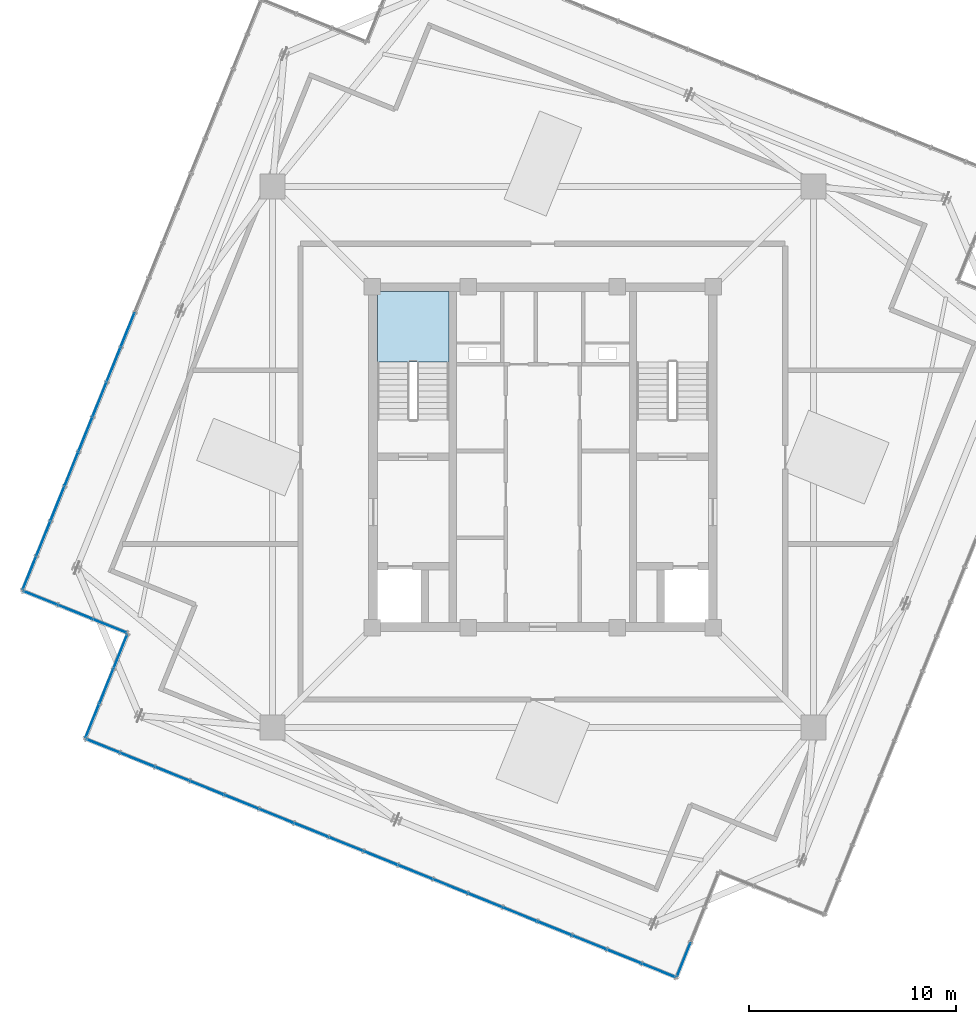
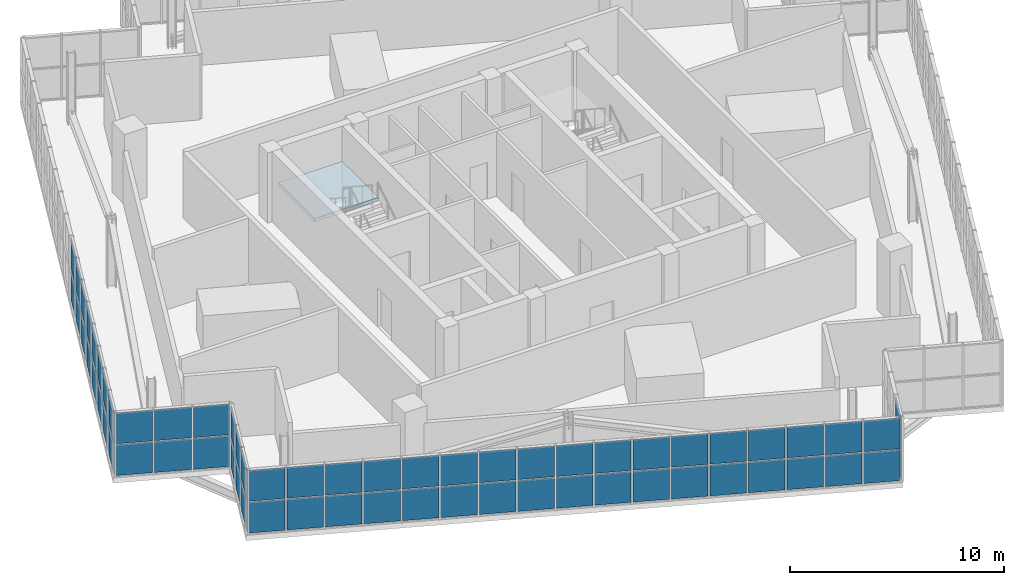
# One storey, part 18 of 26: 64 plates, 1 slab, 6 elements without a shape of their own.
"""IFC4 building model written with IfcOpenShell, lengths in metres."""

from ifc_helpers import new_model, si_unit, direction, frame, origin, origin_2d, place, context, subcontext, project, spatial, polyline, rectangle, outline, extrude, source, transform, mapped, material, layer, layer_set, type_object, element, aggregate, save


model = new_model("IFC4")

# Units and contexts
model_context = context("Model", 3, precision=1e-05, world=origin(), true_north=direction((0.0, 1.0)))
body_context = subcontext(model_context, "Body", "Model", "MODEL_VIEW")
ifc_project = project(units=[si_unit("LENGTHUNIT", "METRE"), si_unit("AREAUNIT", "SQUARE_METRE"), si_unit("VOLUMEUNIT", "CUBIC_METRE"), si_unit("PLANEANGLEUNIT", "RADIAN"), si_unit("MASSUNIT", "GRAM", prefix="KILO"), si_unit("THERMODYNAMICTEMPERATUREUNIT", "KELVIN")], contexts=[model_context])

# Site, building, storey
site_placement = place(None, origin())
site = spatial("IfcSite", under=ifc_project, at=site_placement, CompositionType="ELEMENT")
building_placement = place(site_placement, origin())
building = spatial("IfcBuilding", under=site, at=building_placement, Name="Kosmvard Interchange Tower", CompositionType="ELEMENT")
storey_placement = place(building_placement, frame((0.0, 0.0, 337.60009765625)))
storey = spatial("IfcBuildingStorey", under=building, at=storey_placement, Name="L83", CompositionType="ELEMENT", Elevation=337.60009765625)

# Stair, slab
ifc_material_1 = material(Name="Concrete C50/60", Category="concrete")
stair_type = type_object("IfcStairType", Name="Dog-Leg Core Exit Stair H4000 C50/60", PredefinedType="HALF_TURN_STAIR", material=ifc_material_1)
stair_placement = place(storey_placement, origin())
stair = element("IfcStair", 1, at=stair_placement, inside=storey, type_object=stair_type, Name="L83 Protected Exit Stair ST-1", PredefinedType="HALF_TURN_STAIR")
ifc_layer_1 = layer(ifc_material_1, 0.199951171875, Name="Concrete C50/60")
ifc_layer_set_1 = layer_set([ifc_layer_1], Name="Concrete C50/60")
slab_type = type_object("IfcSlabType", Name="Stair Half-Landing Slab 200 C50/60", PredefinedType="LANDING", material=ifc_layer_set_1)
slab_placement = place(storey_placement, frame((0.0, 0.0, 1.7998046875)))
slab = element("IfcSlab", 2, at=slab_placement, type_object=slab_type, Name="ST-1 landing 1", PredefinedType="LANDING", context=body_context, shape_type="SweptSolid", body=[
    extrude(outline(polyline([(-4.5400390625, 4.60009765625), (-4.5400390625, 8.0), (-8.0, 8.0), (-8.0, 4.60009765625), (-4.5400390625, 4.60009765625)])), origin(), (0.0, 0.0, 1.0), 0.2001953125),
])
aggregate(stair, [slab])

# Curtain wall, plates
ifc_material_2 = material(Name="Architectural anodised aluminium", Category="aluminium")
ifc_layer_2 = layer(ifc_material_2, 0.25, Name="Architectural anodised aluminium")
ifc_layer_set_2 = layer_set([ifc_layer_2], Name="Architectural anodised aluminium")
curtain_wall_type = type_object("IfcCurtainWallType", Name="CW-6 Illuminated Crown Lantern Curtain Wall", PredefinedType="NOTDEFINED", material=ifc_layer_set_2)
curtain_wall_1_placement = place(storey_placement, origin())
curtain_wall_1 = element("IfcCurtainWall", 3, at=curtain_wall_1_placement, inside=storey, type_object=curtain_wall_type, Name="L83 Crown Lantern Glazing Face 07", PredefinedType="NOTDEFINED")
ifc_material_3 = material(Name="Laminated acoustic lantern glazing", Category="glass")
ifc_layer_3 = layer(ifc_material_3, 0.035888671875, Name="Laminated acoustic lantern glazing")
ifc_layer_set_3 = layer_set([ifc_layer_3], Name="Laminated acoustic lantern glazing")
plate_type = type_object("IfcPlateType", Name="Lantern Diffused Illuminated Panel 36", PredefinedType="CURTAIN_PANEL", material=ifc_layer_set_3)
shared_shape_1 = source(origin(), body_context, "Body", "SweptSolid", [
    extrude(rectangle(XDim=1.694091796875, YDim=0.035888671875, at=origin_2d()), origin(), (0.0, 0.0, 1.0), 1.7451171875),
])
plate_1_placement = place(storey_placement, frame((-24.825927734375, -5.600830078125, 0.06982421875), z_axis=(0.0, 0.0, 1.0), x_axis=(-0.374606584758, -0.927183858065, 0.0)))
plate_1 = element("IfcPlate", 4, at=plate_1_placement, type_object=plate_type, Name="CW-6 panel 17.1", PredefinedType="CURTAIN_PANEL", context=body_context, shape_type="MappedRepresentation", body=[
    mapped(shared_shape_1, transform((0.0, 0.0, 0.0), scale=1.0)),
])
plate_2_placement = place(storey_placement, frame((-24.825927734375, -5.600830078125, 1.884765625), z_axis=(0.0, 0.0, 1.0), x_axis=(-0.374606584758, -0.927183858065, 0.0)))
plate_2 = element("IfcPlate", 5, at=plate_2_placement, type_object=plate_type, Name="CW-6 panel 17.2", PredefinedType="CURTAIN_PANEL", context=body_context, shape_type="MappedRepresentation", body=[
    mapped(shared_shape_1, transform((0.0, 0.0, 0.0), scale=1.0)),
])

curtain_wall_2_placement = place(storey_placement, origin())
curtain_wall_2 = element("IfcCurtainWall", 6, at=curtain_wall_2_placement, inside=storey, type_object=curtain_wall_type, Name="L83 Crown Lantern Glazing Face 10", PredefinedType="NOTDEFINED")
plate_3_placement = place(storey_placement, frame((-21.2744140625, -13.967529296875, 0.06982421875), z_axis=(0.0, 0.0, 1.0), x_axis=(0.927183858065, -0.374606584758, 0.0)))
plate_3 = element("IfcPlate", 7, at=plate_3_placement, type_object=plate_type, Name="CW-6 panel 1.1", PredefinedType="CURTAIN_PANEL", context=body_context, shape_type="MappedRepresentation", body=[
    mapped(shared_shape_1, transform((0.0, 0.0, 0.0), scale=1.0)),
])
plate_4_placement = place(storey_placement, frame((-21.2744140625, -13.967529296875, 1.884765625), z_axis=(0.0, 0.0, 1.0), x_axis=(0.927183858065, -0.374606584758, 0.0)))
plate_4 = element("IfcPlate", 8, at=plate_4_placement, type_object=plate_type, Name="CW-6 panel 1.2", PredefinedType="CURTAIN_PANEL", context=body_context, shape_type="MappedRepresentation", body=[
    mapped(shared_shape_1, transform((0.0, 0.0, 0.0), scale=1.0)),
])
plate_5_placement = place(storey_placement, frame((5.600830078125, -24.825927734375, 0.06982421875), z_axis=(0.0, 0.0, 1.0), x_axis=(0.927183858065, -0.374606584758, 0.0)))
plate_5 = element("IfcPlate", 9, at=plate_5_placement, type_object=plate_type, Name="CW-6 panel 17.1", PredefinedType="CURTAIN_PANEL", context=body_context, shape_type="MappedRepresentation", body=[
    mapped(shared_shape_1, transform((0.0, 0.0, 0.0), scale=1.0)),
])
plate_6_placement = place(storey_placement, frame((5.600830078125, -24.825927734375, 1.884765625), z_axis=(0.0, 0.0, 1.0), x_axis=(0.927183858065, -0.374606584758, 0.0)))
plate_6 = element("IfcPlate", 10, at=plate_6_placement, type_object=plate_type, Name="CW-6 panel 17.2", PredefinedType="CURTAIN_PANEL", context=body_context, shape_type="MappedRepresentation", body=[
    mapped(shared_shape_1, transform((0.0, 0.0, 0.0), scale=1.0)),
])

# Plate
shared_shape_2 = source(origin(), body_context, "Body", "SweptSolid", [
    extrude(rectangle(XDim=1.734130859375, YDim=0.035888671875, at=origin_2d()), origin(), (0.0, 0.0, 1.0), 1.7451171875),
])
plate_7_placement = place(storey_placement, frame((-20.076171875, 6.15478515625, 0.06982421875), z_axis=(0.0, 0.0, 1.0), x_axis=(-0.374606584758, -0.927183858065, 0.0)))
plate_7 = element("IfcPlate", 11, at=plate_7_placement, type_object=plate_type, Name="CW-6 panel 10.1", PredefinedType="CURTAIN_PANEL", context=body_context, shape_type="MappedRepresentation", body=[
    mapped(shared_shape_2, transform((0.0, 0.0, 0.0), scale=1.0)),
])

plate_8_placement = place(storey_placement, frame((-20.076171875, 6.15478515625, 1.884765625), z_axis=(0.0, 0.0, 1.0), x_axis=(-0.374606584758, -0.927183858065, 0.0)))
plate_8 = element("IfcPlate", 12, at=plate_8_placement, type_object=plate_type, Name="CW-6 panel 10.2", PredefinedType="CURTAIN_PANEL", context=body_context, shape_type="MappedRepresentation", body=[
    mapped(shared_shape_2, transform((0.0, 0.0, 0.0), scale=1.0)),
])

plate_9_placement = place(storey_placement, frame((-20.755859375, 4.47265625, 0.06982421875), z_axis=(0.0, 0.0, 1.0), x_axis=(-0.374606584758, -0.927183858065, 0.0)))
plate_9 = element("IfcPlate", 13, at=plate_9_placement, type_object=plate_type, Name="CW-6 panel 11.1", PredefinedType="CURTAIN_PANEL", context=body_context, shape_type="MappedRepresentation", body=[
    mapped(shared_shape_2, transform((0.0, 0.0, 0.0), scale=1.0)),
])

plate_10_placement = place(storey_placement, frame((-20.755859375, 4.47265625, 1.884765625), z_axis=(0.0, 0.0, 1.0), x_axis=(-0.374606584758, -0.927183858065, 0.0)))
plate_10 = element("IfcPlate", 14, at=plate_10_placement, type_object=plate_type, Name="CW-6 panel 11.2", PredefinedType="CURTAIN_PANEL", context=body_context, shape_type="MappedRepresentation", body=[
    mapped(shared_shape_2, transform((0.0, 0.0, 0.0), scale=1.0)),
])

plate_11_placement = place(storey_placement, frame((-21.435546875, 2.790771484375, 0.06982421875), z_axis=(0.0, 0.0, 1.0), x_axis=(-0.374606584758, -0.927183858065, 0.0)))
plate_11 = element("IfcPlate", 15, at=plate_11_placement, type_object=plate_type, Name="CW-6 panel 12.1", PredefinedType="CURTAIN_PANEL", context=body_context, shape_type="MappedRepresentation", body=[
    mapped(shared_shape_2, transform((0.0, 0.0, 0.0), scale=1.0)),
])

plate_12_placement = place(storey_placement, frame((-21.435546875, 2.790771484375, 1.884765625), z_axis=(0.0, 0.0, 1.0), x_axis=(-0.374606584758, -0.927183858065, 0.0)))
plate_12 = element("IfcPlate", 16, at=plate_12_placement, type_object=plate_type, Name="CW-6 panel 12.2", PredefinedType="CURTAIN_PANEL", context=body_context, shape_type="MappedRepresentation", body=[
    mapped(shared_shape_2, transform((0.0, 0.0, 0.0), scale=1.0)),
])

plate_13_placement = place(storey_placement, frame((-22.114990234375, 1.108642578125, 0.06982421875), z_axis=(0.0, 0.0, 1.0), x_axis=(-0.374606584758, -0.927183858065, 0.0)))
plate_13 = element("IfcPlate", 17, at=plate_13_placement, type_object=plate_type, Name="CW-6 panel 13.1", PredefinedType="CURTAIN_PANEL", context=body_context, shape_type="MappedRepresentation", body=[
    mapped(shared_shape_2, transform((0.0, 0.0, 0.0), scale=1.0)),
])

plate_14_placement = place(storey_placement, frame((-22.114990234375, 1.108642578125, 1.884765625), z_axis=(0.0, 0.0, 1.0), x_axis=(-0.374606584758, -0.927183858065, 0.0)))
plate_14 = element("IfcPlate", 18, at=plate_14_placement, type_object=plate_type, Name="CW-6 panel 13.2", PredefinedType="CURTAIN_PANEL", context=body_context, shape_type="MappedRepresentation", body=[
    mapped(shared_shape_2, transform((0.0, 0.0, 0.0), scale=1.0)),
])

plate_15_placement = place(storey_placement, frame((-22.794677734375, -0.5732421875, 0.06982421875), z_axis=(0.0, 0.0, 1.0), x_axis=(-0.374606584758, -0.927183858065, 0.0)))
plate_15 = element("IfcPlate", 19, at=plate_15_placement, type_object=plate_type, Name="CW-6 panel 14.1", PredefinedType="CURTAIN_PANEL", context=body_context, shape_type="MappedRepresentation", body=[
    mapped(shared_shape_2, transform((0.0, 0.0, 0.0), scale=1.0)),
])

plate_16_placement = place(storey_placement, frame((-22.794677734375, -0.5732421875, 1.884765625), z_axis=(0.0, 0.0, 1.0), x_axis=(-0.374606584758, -0.927183858065, 0.0)))
plate_16 = element("IfcPlate", 20, at=plate_16_placement, type_object=plate_type, Name="CW-6 panel 14.2", PredefinedType="CURTAIN_PANEL", context=body_context, shape_type="MappedRepresentation", body=[
    mapped(shared_shape_2, transform((0.0, 0.0, 0.0), scale=1.0)),
])

plate_17_placement = place(storey_placement, frame((-23.47412109375, -2.25537109375, 0.06982421875), z_axis=(0.0, 0.0, 1.0), x_axis=(-0.374606584758, -0.927183858065, 0.0)))
plate_17 = element("IfcPlate", 21, at=plate_17_placement, type_object=plate_type, Name="CW-6 panel 15.1", PredefinedType="CURTAIN_PANEL", context=body_context, shape_type="MappedRepresentation", body=[
    mapped(shared_shape_2, transform((0.0, 0.0, 0.0), scale=1.0)),
])

plate_18_placement = place(storey_placement, frame((-23.47412109375, -2.25537109375, 1.884765625), z_axis=(0.0, 0.0, 1.0), x_axis=(-0.374606584758, -0.927183858065, 0.0)))
plate_18 = element("IfcPlate", 22, at=plate_18_placement, type_object=plate_type, Name="CW-6 panel 15.2", PredefinedType="CURTAIN_PANEL", context=body_context, shape_type="MappedRepresentation", body=[
    mapped(shared_shape_2, transform((0.0, 0.0, 0.0), scale=1.0)),
])

plate_19_placement = place(storey_placement, frame((-24.15380859375, -3.937255859375, 0.06982421875), z_axis=(0.0, 0.0, 1.0), x_axis=(-0.374606584758, -0.927183858065, 0.0)))
plate_19 = element("IfcPlate", 23, at=plate_19_placement, type_object=plate_type, Name="CW-6 panel 16.1", PredefinedType="CURTAIN_PANEL", context=body_context, shape_type="MappedRepresentation", body=[
    mapped(shared_shape_2, transform((0.0, 0.0, 0.0), scale=1.0)),
])

plate_20_placement = place(storey_placement, frame((-24.15380859375, -3.937255859375, 1.884765625), z_axis=(0.0, 0.0, 1.0), x_axis=(-0.374606584758, -0.927183858065, 0.0)))
plate_20 = element("IfcPlate", 24, at=plate_20_placement, type_object=plate_type, Name="CW-6 panel 16.2", PredefinedType="CURTAIN_PANEL", context=body_context, shape_type="MappedRepresentation", body=[
    mapped(shared_shape_2, transform((0.0, 0.0, 0.0), scale=1.0)),
])

aggregate(curtain_wall_1, [plate_7, plate_8, plate_9, plate_10, plate_11, plate_12, plate_13, plate_14, plate_15, plate_16, plate_17, plate_18, plate_19, plate_20, plate_1, plate_2])

plate_21_placement = place(storey_placement, frame((-19.61083984375, -14.6396484375, 0.06982421875), z_axis=(0.0, 0.0, 1.0), x_axis=(0.927183858065, -0.374606584758, 0.0)))
plate_21 = element("IfcPlate", 25, at=plate_21_placement, type_object=plate_type, Name="CW-6 panel 2.1", PredefinedType="CURTAIN_PANEL", context=body_context, shape_type="MappedRepresentation", body=[
    mapped(shared_shape_2, transform((0.0, 0.0, 0.0), scale=1.0)),
])

plate_22_placement = place(storey_placement, frame((-19.61083984375, -14.6396484375, 1.884765625), z_axis=(0.0, 0.0, 1.0), x_axis=(0.927183858065, -0.374606584758, 0.0)))
plate_22 = element("IfcPlate", 26, at=plate_22_placement, type_object=plate_type, Name="CW-6 panel 2.2", PredefinedType="CURTAIN_PANEL", context=body_context, shape_type="MappedRepresentation", body=[
    mapped(shared_shape_2, transform((0.0, 0.0, 0.0), scale=1.0)),
])

plate_23_placement = place(storey_placement, frame((-17.928955078125, -15.319091796875, 0.06982421875), z_axis=(0.0, 0.0, 1.0), x_axis=(0.927183858065, -0.374606584758, 0.0)))
plate_23 = element("IfcPlate", 27, at=plate_23_placement, type_object=plate_type, Name="CW-6 panel 3.1", PredefinedType="CURTAIN_PANEL", context=body_context, shape_type="MappedRepresentation", body=[
    mapped(shared_shape_2, transform((0.0, 0.0, 0.0), scale=1.0)),
])

plate_24_placement = place(storey_placement, frame((-17.928955078125, -15.319091796875, 1.884765625), z_axis=(0.0, 0.0, 1.0), x_axis=(0.927183858065, -0.374606584758, 0.0)))
plate_24 = element("IfcPlate", 28, at=plate_24_placement, type_object=plate_type, Name="CW-6 panel 3.2", PredefinedType="CURTAIN_PANEL", context=body_context, shape_type="MappedRepresentation", body=[
    mapped(shared_shape_2, transform((0.0, 0.0, 0.0), scale=1.0)),
])

plate_25_placement = place(storey_placement, frame((-16.246826171875, -15.998779296875, 0.06982421875), z_axis=(0.0, 0.0, 1.0), x_axis=(0.927183858065, -0.374606584758, 0.0)))
plate_25 = element("IfcPlate", 29, at=plate_25_placement, type_object=plate_type, Name="CW-6 panel 4.1", PredefinedType="CURTAIN_PANEL", context=body_context, shape_type="MappedRepresentation", body=[
    mapped(shared_shape_2, transform((0.0, 0.0, 0.0), scale=1.0)),
])

plate_26_placement = place(storey_placement, frame((-16.246826171875, -15.998779296875, 1.884765625), z_axis=(0.0, 0.0, 1.0), x_axis=(0.927183858065, -0.374606584758, 0.0)))
plate_26 = element("IfcPlate", 30, at=plate_26_placement, type_object=plate_type, Name="CW-6 panel 4.2", PredefinedType="CURTAIN_PANEL", context=body_context, shape_type="MappedRepresentation", body=[
    mapped(shared_shape_2, transform((0.0, 0.0, 0.0), scale=1.0)),
])

plate_27_placement = place(storey_placement, frame((-14.56494140625, -16.678466796875, 0.06982421875), z_axis=(0.0, 0.0, 1.0), x_axis=(0.927183858065, -0.374606584758, 0.0)))
plate_27 = element("IfcPlate", 31, at=plate_27_placement, type_object=plate_type, Name="CW-6 panel 5.1", PredefinedType="CURTAIN_PANEL", context=body_context, shape_type="MappedRepresentation", body=[
    mapped(shared_shape_2, transform((0.0, 0.0, 0.0), scale=1.0)),
])

plate_28_placement = place(storey_placement, frame((-14.56494140625, -16.678466796875, 1.884765625), z_axis=(0.0, 0.0, 1.0), x_axis=(0.927183858065, -0.374606584758, 0.0)))
plate_28 = element("IfcPlate", 32, at=plate_28_placement, type_object=plate_type, Name="CW-6 panel 5.2", PredefinedType="CURTAIN_PANEL", context=body_context, shape_type="MappedRepresentation", body=[
    mapped(shared_shape_2, transform((0.0, 0.0, 0.0), scale=1.0)),
])

plate_29_placement = place(storey_placement, frame((-12.8828125, -17.35791015625, 0.06982421875), z_axis=(0.0, 0.0, 1.0), x_axis=(0.927183858065, -0.374606584758, 0.0)))
plate_29 = element("IfcPlate", 33, at=plate_29_placement, type_object=plate_type, Name="CW-6 panel 6.1", PredefinedType="CURTAIN_PANEL", context=body_context, shape_type="MappedRepresentation", body=[
    mapped(shared_shape_2, transform((0.0, 0.0, 0.0), scale=1.0)),
])

plate_30_placement = place(storey_placement, frame((-12.8828125, -17.35791015625, 1.884765625), z_axis=(0.0, 0.0, 1.0), x_axis=(0.927183858065, -0.374606584758, 0.0)))
plate_30 = element("IfcPlate", 34, at=plate_30_placement, type_object=plate_type, Name="CW-6 panel 6.2", PredefinedType="CURTAIN_PANEL", context=body_context, shape_type="MappedRepresentation", body=[
    mapped(shared_shape_2, transform((0.0, 0.0, 0.0), scale=1.0)),
])

plate_31_placement = place(storey_placement, frame((-11.200927734375, -18.03759765625, 0.06982421875), z_axis=(0.0, 0.0, 1.0), x_axis=(0.927183858065, -0.374606584758, 0.0)))
plate_31 = element("IfcPlate", 35, at=plate_31_placement, type_object=plate_type, Name="CW-6 panel 7.1", PredefinedType="CURTAIN_PANEL", context=body_context, shape_type="MappedRepresentation", body=[
    mapped(shared_shape_2, transform((0.0, 0.0, 0.0), scale=1.0)),
])

plate_32_placement = place(storey_placement, frame((-11.200927734375, -18.03759765625, 1.884765625), z_axis=(0.0, 0.0, 1.0), x_axis=(0.927183858065, -0.374606584758, 0.0)))
plate_32 = element("IfcPlate", 36, at=plate_32_placement, type_object=plate_type, Name="CW-6 panel 7.2", PredefinedType="CURTAIN_PANEL", context=body_context, shape_type="MappedRepresentation", body=[
    mapped(shared_shape_2, transform((0.0, 0.0, 0.0), scale=1.0)),
])

plate_33_placement = place(storey_placement, frame((-9.518798828125, -18.717041015625, 0.06982421875), z_axis=(0.0, 0.0, 1.0), x_axis=(0.927183858065, -0.374606584758, 0.0)))
plate_33 = element("IfcPlate", 37, at=plate_33_placement, type_object=plate_type, Name="CW-6 panel 8.1", PredefinedType="CURTAIN_PANEL", context=body_context, shape_type="MappedRepresentation", body=[
    mapped(shared_shape_2, transform((0.0, 0.0, 0.0), scale=1.0)),
])

plate_34_placement = place(storey_placement, frame((-9.518798828125, -18.717041015625, 1.884765625), z_axis=(0.0, 0.0, 1.0), x_axis=(0.927183858065, -0.374606584758, 0.0)))
plate_34 = element("IfcPlate", 38, at=plate_34_placement, type_object=plate_type, Name="CW-6 panel 8.2", PredefinedType="CURTAIN_PANEL", context=body_context, shape_type="MappedRepresentation", body=[
    mapped(shared_shape_2, transform((0.0, 0.0, 0.0), scale=1.0)),
])

plate_35_placement = place(storey_placement, frame((-7.836669921875, -19.396728515625, 0.06982421875), z_axis=(0.0, 0.0, 1.0), x_axis=(0.927183858065, -0.374606584758, 0.0)))
plate_35 = element("IfcPlate", 39, at=plate_35_placement, type_object=plate_type, Name="CW-6 panel 9.1", PredefinedType="CURTAIN_PANEL", context=body_context, shape_type="MappedRepresentation", body=[
    mapped(shared_shape_2, transform((0.0, 0.0, 0.0), scale=1.0)),
])

plate_36_placement = place(storey_placement, frame((-7.836669921875, -19.396728515625, 1.884765625), z_axis=(0.0, 0.0, 1.0), x_axis=(0.927183858065, -0.374606584758, 0.0)))
plate_36 = element("IfcPlate", 40, at=plate_36_placement, type_object=plate_type, Name="CW-6 panel 9.2", PredefinedType="CURTAIN_PANEL", context=body_context, shape_type="MappedRepresentation", body=[
    mapped(shared_shape_2, transform((0.0, 0.0, 0.0), scale=1.0)),
])

plate_37_placement = place(storey_placement, frame((-6.15478515625, -20.076171875, 0.06982421875), z_axis=(0.0, 0.0, 1.0), x_axis=(0.927183858065, -0.374606584758, 0.0)))
plate_37 = element("IfcPlate", 41, at=plate_37_placement, type_object=plate_type, Name="CW-6 panel 10.1", PredefinedType="CURTAIN_PANEL", context=body_context, shape_type="MappedRepresentation", body=[
    mapped(shared_shape_2, transform((0.0, 0.0, 0.0), scale=1.0)),
])

plate_38_placement = place(storey_placement, frame((-6.15478515625, -20.076171875, 1.884765625), z_axis=(0.0, 0.0, 1.0), x_axis=(0.927183858065, -0.374606584758, 0.0)))
plate_38 = element("IfcPlate", 42, at=plate_38_placement, type_object=plate_type, Name="CW-6 panel 10.2", PredefinedType="CURTAIN_PANEL", context=body_context, shape_type="MappedRepresentation", body=[
    mapped(shared_shape_2, transform((0.0, 0.0, 0.0), scale=1.0)),
])

plate_39_placement = place(storey_placement, frame((-4.47265625, -20.755859375, 0.06982421875), z_axis=(0.0, 0.0, 1.0), x_axis=(0.927183858065, -0.374606584758, 0.0)))
plate_39 = element("IfcPlate", 43, at=plate_39_placement, type_object=plate_type, Name="CW-6 panel 11.1", PredefinedType="CURTAIN_PANEL", context=body_context, shape_type="MappedRepresentation", body=[
    mapped(shared_shape_2, transform((0.0, 0.0, 0.0), scale=1.0)),
])

plate_40_placement = place(storey_placement, frame((-4.47265625, -20.755859375, 1.884765625), z_axis=(0.0, 0.0, 1.0), x_axis=(0.927183858065, -0.374606584758, 0.0)))
plate_40 = element("IfcPlate", 44, at=plate_40_placement, type_object=plate_type, Name="CW-6 panel 11.2", PredefinedType="CURTAIN_PANEL", context=body_context, shape_type="MappedRepresentation", body=[
    mapped(shared_shape_2, transform((0.0, 0.0, 0.0), scale=1.0)),
])

plate_41_placement = place(storey_placement, frame((-2.790771484375, -21.435546875, 0.06982421875), z_axis=(0.0, 0.0, 1.0), x_axis=(0.927183858065, -0.374606584758, 0.0)))
plate_41 = element("IfcPlate", 45, at=plate_41_placement, type_object=plate_type, Name="CW-6 panel 12.1", PredefinedType="CURTAIN_PANEL", context=body_context, shape_type="MappedRepresentation", body=[
    mapped(shared_shape_2, transform((0.0, 0.0, 0.0), scale=1.0)),
])

plate_42_placement = place(storey_placement, frame((-2.790771484375, -21.435546875, 1.884765625), z_axis=(0.0, 0.0, 1.0), x_axis=(0.927183858065, -0.374606584758, 0.0)))
plate_42 = element("IfcPlate", 46, at=plate_42_placement, type_object=plate_type, Name="CW-6 panel 12.2", PredefinedType="CURTAIN_PANEL", context=body_context, shape_type="MappedRepresentation", body=[
    mapped(shared_shape_2, transform((0.0, 0.0, 0.0), scale=1.0)),
])

plate_43_placement = place(storey_placement, frame((-1.108642578125, -22.114990234375, 0.06982421875), z_axis=(0.0, 0.0, 1.0), x_axis=(0.927183858065, -0.374606584758, 0.0)))
plate_43 = element("IfcPlate", 47, at=plate_43_placement, type_object=plate_type, Name="CW-6 panel 13.1", PredefinedType="CURTAIN_PANEL", context=body_context, shape_type="MappedRepresentation", body=[
    mapped(shared_shape_2, transform((0.0, 0.0, 0.0), scale=1.0)),
])

plate_44_placement = place(storey_placement, frame((-1.108642578125, -22.114990234375, 1.884765625), z_axis=(0.0, 0.0, 1.0), x_axis=(0.927183858065, -0.374606584758, 0.0)))
plate_44 = element("IfcPlate", 48, at=plate_44_placement, type_object=plate_type, Name="CW-6 panel 13.2", PredefinedType="CURTAIN_PANEL", context=body_context, shape_type="MappedRepresentation", body=[
    mapped(shared_shape_2, transform((0.0, 0.0, 0.0), scale=1.0)),
])

plate_45_placement = place(storey_placement, frame((0.5732421875, -22.794677734375, 0.06982421875), z_axis=(0.0, 0.0, 1.0), x_axis=(0.927183858065, -0.374606584758, 0.0)))
plate_45 = element("IfcPlate", 49, at=plate_45_placement, type_object=plate_type, Name="CW-6 panel 14.1", PredefinedType="CURTAIN_PANEL", context=body_context, shape_type="MappedRepresentation", body=[
    mapped(shared_shape_2, transform((0.0, 0.0, 0.0), scale=1.0)),
])

plate_46_placement = place(storey_placement, frame((0.5732421875, -22.794677734375, 1.884765625), z_axis=(0.0, 0.0, 1.0), x_axis=(0.927183858065, -0.374606584758, 0.0)))
plate_46 = element("IfcPlate", 50, at=plate_46_placement, type_object=plate_type, Name="CW-6 panel 14.2", PredefinedType="CURTAIN_PANEL", context=body_context, shape_type="MappedRepresentation", body=[
    mapped(shared_shape_2, transform((0.0, 0.0, 0.0), scale=1.0)),
])

plate_47_placement = place(storey_placement, frame((2.25537109375, -23.47412109375, 0.06982421875), z_axis=(0.0, 0.0, 1.0), x_axis=(0.927183858065, -0.374606584758, 0.0)))
plate_47 = element("IfcPlate", 51, at=plate_47_placement, type_object=plate_type, Name="CW-6 panel 15.1", PredefinedType="CURTAIN_PANEL", context=body_context, shape_type="MappedRepresentation", body=[
    mapped(shared_shape_2, transform((0.0, 0.0, 0.0), scale=1.0)),
])

plate_48_placement = place(storey_placement, frame((2.25537109375, -23.47412109375, 1.884765625), z_axis=(0.0, 0.0, 1.0), x_axis=(0.927183858065, -0.374606584758, 0.0)))
plate_48 = element("IfcPlate", 52, at=plate_48_placement, type_object=plate_type, Name="CW-6 panel 15.2", PredefinedType="CURTAIN_PANEL", context=body_context, shape_type="MappedRepresentation", body=[
    mapped(shared_shape_2, transform((0.0, 0.0, 0.0), scale=1.0)),
])

plate_49_placement = place(storey_placement, frame((3.937255859375, -24.15380859375, 0.06982421875), z_axis=(0.0, 0.0, 1.0), x_axis=(0.927183858065, -0.374606584758, 0.0)))
plate_49 = element("IfcPlate", 53, at=plate_49_placement, type_object=plate_type, Name="CW-6 panel 16.1", PredefinedType="CURTAIN_PANEL", context=body_context, shape_type="MappedRepresentation", body=[
    mapped(shared_shape_2, transform((0.0, 0.0, 0.0), scale=1.0)),
])

plate_50_placement = place(storey_placement, frame((3.937255859375, -24.15380859375, 1.884765625), z_axis=(0.0, 0.0, 1.0), x_axis=(0.927183858065, -0.374606584758, 0.0)))
plate_50 = element("IfcPlate", 54, at=plate_50_placement, type_object=plate_type, Name="CW-6 panel 16.2", PredefinedType="CURTAIN_PANEL", context=body_context, shape_type="MappedRepresentation", body=[
    mapped(shared_shape_2, transform((0.0, 0.0, 0.0), scale=1.0)),
])

aggregate(curtain_wall_2, [plate_3, plate_4, plate_21, plate_22, plate_23, plate_24, plate_25, plate_26, plate_27, plate_28, plate_29, plate_30, plate_31, plate_32, plate_33, plate_34, plate_35, plate_36, plate_37, plate_38, plate_39, plate_40, plate_41, plate_42, plate_43, plate_44, plate_45, plate_46, plate_47, plate_48, plate_49, plate_50, plate_5, plate_6])

# Curtain wall, plates
curtain_wall_3_placement = place(storey_placement, origin())
curtain_wall_3 = element("IfcCurtainWall", 55, at=curtain_wall_3_placement, inside=storey, type_object=curtain_wall_type, Name="L83 Crown Lantern Glazing Face 08", PredefinedType="NOTDEFINED")
shared_shape_3 = source(origin(), body_context, "Body", "SweptSolid", [
    extrude(rectangle(XDim=1.71337890625, YDim=0.035888671875, at=origin_2d()), origin(), (0.0, 0.0, 1.0), 1.7451171875),
])
plate_51_placement = place(storey_placement, frame((-24.3046875, -6.811279296875, 0.06982421875), z_axis=(0.0, 0.0, 1.0), x_axis=(0.92718386612, -0.374606564822, 0.0)))
plate_51 = element("IfcPlate", 56, at=plate_51_placement, type_object=plate_type, Name="CW-6 panel 1.1", PredefinedType="CURTAIN_PANEL", context=body_context, shape_type="MappedRepresentation", body=[
    mapped(shared_shape_3, transform((0.0, 0.0, 0.0), scale=1.0)),
])
plate_52_placement = place(storey_placement, frame((-24.3046875, -6.811279296875, 1.884765625), z_axis=(0.0, 0.0, 1.0), x_axis=(0.92718386612, -0.374606564822, 0.0)))
plate_52 = element("IfcPlate", 57, at=plate_52_placement, type_object=plate_type, Name="CW-6 panel 1.2", PredefinedType="CURTAIN_PANEL", context=body_context, shape_type="MappedRepresentation", body=[
    mapped(shared_shape_3, transform((0.0, 0.0, 0.0), scale=1.0)),
])
plate_53_placement = place(storey_placement, frame((-20.942138671875, -8.169921875, 0.06982421875), z_axis=(0.0, 0.0, 1.0), x_axis=(0.92718386612, -0.374606564822, 0.0)))
plate_53 = element("IfcPlate", 58, at=plate_53_placement, type_object=plate_type, Name="CW-6 panel 3.1", PredefinedType="CURTAIN_PANEL", context=body_context, shape_type="MappedRepresentation", body=[
    mapped(shared_shape_3, transform((0.0, 0.0, 0.0), scale=1.0)),
])
plate_54_placement = place(storey_placement, frame((-20.942138671875, -8.169921875, 1.884765625), z_axis=(0.0, 0.0, 1.0), x_axis=(0.92718386612, -0.374606564822, 0.0)))
plate_54 = element("IfcPlate", 59, at=plate_54_placement, type_object=plate_type, Name="CW-6 panel 3.2", PredefinedType="CURTAIN_PANEL", context=body_context, shape_type="MappedRepresentation", body=[
    mapped(shared_shape_3, transform((0.0, 0.0, 0.0), scale=1.0)),
])

curtain_wall_4_placement = place(storey_placement, origin())
curtain_wall_4 = element("IfcCurtainWall", 60, at=curtain_wall_4_placement, inside=storey, type_object=curtain_wall_type, Name="L83 Crown Lantern Glazing Face 09", PredefinedType="NOTDEFINED")
plate_55_placement = place(storey_placement, frame((-20.424560546875, -9.38916015625, 0.06982421875), z_axis=(0.0, 0.0, 1.0), x_axis=(-0.374606501678, -0.927183891631, 0.0)))
plate_55 = element("IfcPlate", 61, at=plate_55_placement, type_object=plate_type, Name="CW-6 panel 1.1", PredefinedType="CURTAIN_PANEL", context=body_context, shape_type="MappedRepresentation", body=[
    mapped(shared_shape_3, transform((0.0, 0.0, 0.0), scale=1.0)),
])
plate_56_placement = place(storey_placement, frame((-20.424560546875, -9.38916015625, 1.884765625), z_axis=(0.0, 0.0, 1.0), x_axis=(-0.374606501678, -0.927183891631, 0.0)))
plate_56 = element("IfcPlate", 62, at=plate_56_placement, type_object=plate_type, Name="CW-6 panel 1.2", PredefinedType="CURTAIN_PANEL", context=body_context, shape_type="MappedRepresentation", body=[
    mapped(shared_shape_3, transform((0.0, 0.0, 0.0), scale=1.0)),
])
plate_57_placement = place(storey_placement, frame((-21.782958984375, -12.751708984375, 0.06982421875), z_axis=(0.0, 0.0, 1.0), x_axis=(-0.374606501678, -0.927183891631, 0.0)))
plate_57 = element("IfcPlate", 63, at=plate_57_placement, type_object=plate_type, Name="CW-6 panel 3.1", PredefinedType="CURTAIN_PANEL", context=body_context, shape_type="MappedRepresentation", body=[
    mapped(shared_shape_3, transform((0.0, 0.0, 0.0), scale=1.0)),
])
plate_58_placement = place(storey_placement, frame((-21.782958984375, -12.751708984375, 1.884765625), z_axis=(0.0, 0.0, 1.0), x_axis=(-0.374606501678, -0.927183891631, 0.0)))
plate_58 = element("IfcPlate", 64, at=plate_58_placement, type_object=plate_type, Name="CW-6 panel 3.2", PredefinedType="CURTAIN_PANEL", context=body_context, shape_type="MappedRepresentation", body=[
    mapped(shared_shape_3, transform((0.0, 0.0, 0.0), scale=1.0)),
])

curtain_wall_5_placement = place(storey_placement, origin())
curtain_wall_5 = element("IfcCurtainWall", 65, at=curtain_wall_5_placement, inside=storey, type_object=curtain_wall_type, Name="L83 Crown Lantern Glazing Face 11", PredefinedType="NOTDEFINED")
plate_59_placement = place(storey_placement, frame((6.811279296875, -24.3046875, 0.06982421875), z_axis=(0.0, 0.0, 1.0), x_axis=(0.374606564822, 0.92718386612, 0.0)))
plate_59 = element("IfcPlate", 66, at=plate_59_placement, type_object=plate_type, Name="CW-6 panel 1.1", PredefinedType="CURTAIN_PANEL", context=body_context, shape_type="MappedRepresentation", body=[
    mapped(shared_shape_3, transform((0.0, 0.0, 0.0), scale=1.0)),
])
plate_60_placement = place(storey_placement, frame((6.811279296875, -24.3046875, 1.884765625), z_axis=(0.0, 0.0, 1.0), x_axis=(0.374606564822, 0.92718386612, 0.0)))
plate_60 = element("IfcPlate", 67, at=plate_60_placement, type_object=plate_type, Name="CW-6 panel 1.2", PredefinedType="CURTAIN_PANEL", context=body_context, shape_type="MappedRepresentation", body=[
    mapped(shared_shape_3, transform((0.0, 0.0, 0.0), scale=1.0)),
])
aggregate(curtain_wall_5, [plate_59, plate_60])

# Plate
shared_shape_4 = source(origin(), body_context, "Body", "SweptSolid", [
    extrude(rectangle(XDim=1.75341796875, YDim=0.035888671875, at=origin_2d()), origin(), (0.0, 0.0, 1.0), 1.7451171875),
])
plate_61_placement = place(storey_placement, frame((-22.623291015625, -7.490478515625, 0.06982421875), z_axis=(0.0, 0.0, 1.0), x_axis=(0.92718386612, -0.374606564822, 0.0)))
plate_61 = element("IfcPlate", 68, at=plate_61_placement, type_object=plate_type, Name="CW-6 panel 2.1", PredefinedType="CURTAIN_PANEL", context=body_context, shape_type="MappedRepresentation", body=[
    mapped(shared_shape_4, transform((0.0, 0.0, 0.0), scale=1.0)),
])

plate_62_placement = place(storey_placement, frame((-22.623291015625, -7.490478515625, 1.884765625), z_axis=(0.0, 0.0, 1.0), x_axis=(0.92718386612, -0.374606564822, 0.0)))
plate_62 = element("IfcPlate", 69, at=plate_62_placement, type_object=plate_type, Name="CW-6 panel 2.2", PredefinedType="CURTAIN_PANEL", context=body_context, shape_type="MappedRepresentation", body=[
    mapped(shared_shape_4, transform((0.0, 0.0, 0.0), scale=1.0)),
])

aggregate(curtain_wall_3, [plate_51, plate_52, plate_61, plate_62, plate_53, plate_54])

plate_63_placement = place(storey_placement, frame((-21.103759765625, -11.070556640625, 0.06982421875), z_axis=(0.0, 0.0, 1.0), x_axis=(-0.374606501678, -0.927183891631, 0.0)))
plate_63 = element("IfcPlate", 70, at=plate_63_placement, type_object=plate_type, Name="CW-6 panel 2.1", PredefinedType="CURTAIN_PANEL", context=body_context, shape_type="MappedRepresentation", body=[
    mapped(shared_shape_4, transform((0.0, 0.0, 0.0), scale=1.0)),
])

plate_64_placement = place(storey_placement, frame((-21.103759765625, -11.070556640625, 1.884765625), z_axis=(0.0, 0.0, 1.0), x_axis=(-0.374606501678, -0.927183891631, 0.0)))
plate_64 = element("IfcPlate", 71, at=plate_64_placement, type_object=plate_type, Name="CW-6 panel 2.2", PredefinedType="CURTAIN_PANEL", context=body_context, shape_type="MappedRepresentation", body=[
    mapped(shared_shape_4, transform((0.0, 0.0, 0.0), scale=1.0)),
])

aggregate(curtain_wall_4, [plate_55, plate_56, plate_63, plate_64, plate_57, plate_58])

save(model, "model.ifc")
